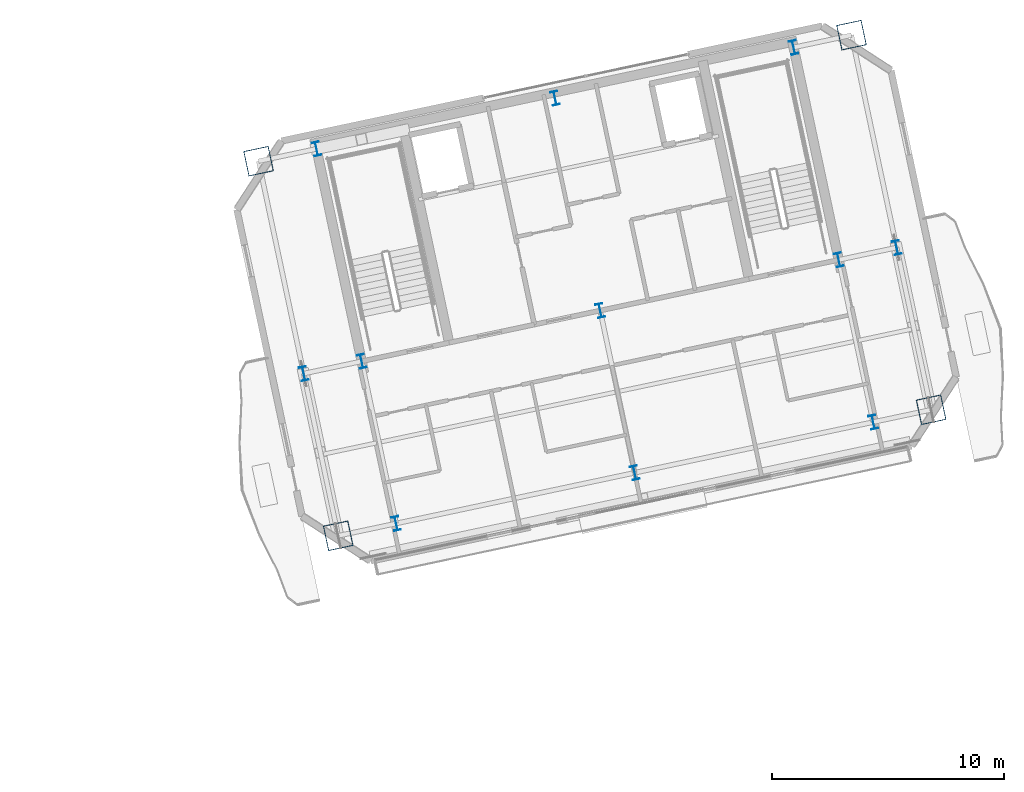
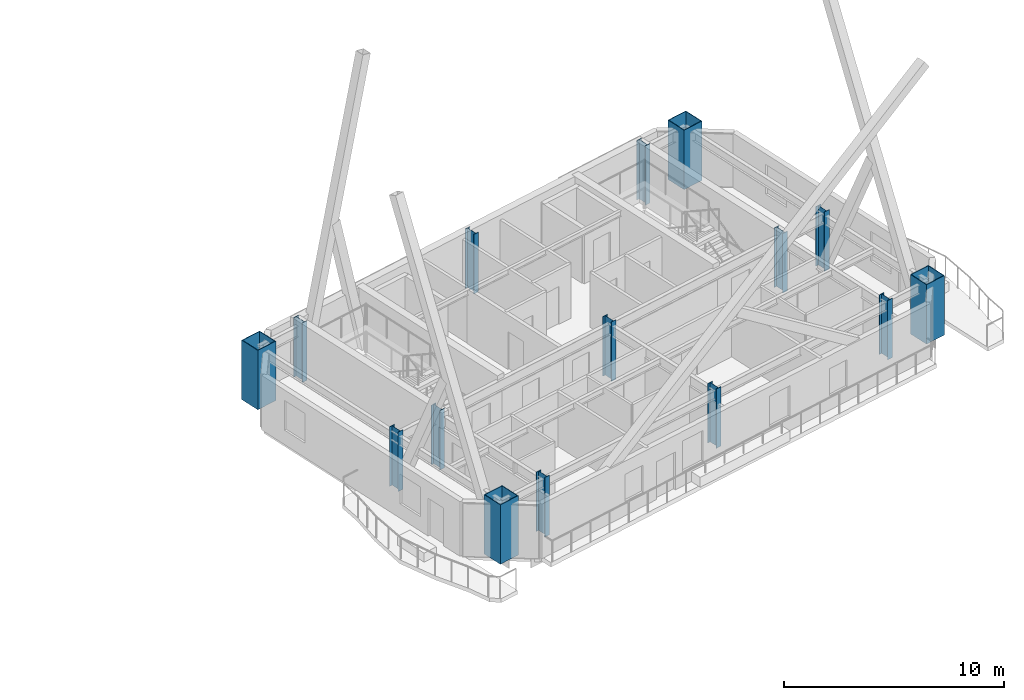
# One storey, part 2 of 19: 15 columns.
"""IFC4 building model written with IfcOpenShell, lengths in metres."""

from ifc_helpers import new_model, si_unit, direction, frame, origin, origin_2d, place, context, subcontext, project, spatial, hollow_rectangle, i_section, extrude, material, material_profile, profile_set, type_object, element, save


model = new_model("IFC4")

# Units and contexts
model_context = context("Model", 3, precision=1e-05, world=origin(), true_north=direction((0.0, 1.0)))
body_context = subcontext(model_context, "Body", "Model", "MODEL_VIEW")
ifc_project = project(units=[si_unit("LENGTHUNIT", "METRE"), si_unit("AREAUNIT", "SQUARE_METRE"), si_unit("VOLUMEUNIT", "CUBIC_METRE"), si_unit("PLANEANGLEUNIT", "RADIAN"), si_unit("MASSUNIT", "GRAM", prefix="KILO")], contexts=[model_context])

# Site, building, storey
site_placement = place(None, origin())
site = spatial("IfcSite", under=ifc_project, at=site_placement, CompositionType="ELEMENT")
building_placement = place(site_placement, origin())
building = spatial("IfcBuilding", under=site, at=building_placement, Name="Haevon Station Towers", CompositionType="ELEMENT")
storey_placement = place(building_placement, frame((0.0, 0.0, 218.699951171875)))
storey = spatial("IfcBuildingStorey", under=building, at=storey_placement, Name="L60", CompositionType="ELEMENT", Elevation=218.699951171875)

# Columns
ifc_material_1 = material(Name="Steel S460", Category="steel")
ifc_material_profile_1 = material_profile(ifc_material_1, hollow_rectangle(XDim=1.10009765625, YDim=1.10009765625, WallThickness=0.031982421875, at=origin_2d()), Name="BOX-1100x1100x32")
ifc_profile_set_1 = profile_set([ifc_material_profile_1], Name="Steel S460")
column_type_1 = type_object("IfcColumnType", Name="COL-MC5", PredefinedType="COLUMN", material=ifc_profile_set_1)
for number, where, z_axis, x_axis, name in (
    (1, (97.74267578125, 29.92822265625, 0.0), (0.0, 0.0, 1.0), (0.978147600734, 0.207911690818, 0.0), "COL-T2-L60-01-01"),
    (2, (94.314208984375, 46.057861328125, 0.0), (0.0, 0.0, 1.0), (0.978147600734, 0.207911690818, 0.0), "COL-T2-L60-01-03"),
    (3, (123.272216796875, 35.354736328125, 0.0), (0.0, 0.0, 1.0), (0.978147600734, 0.207911690818, 0.0), "COL-T2-L60-05-01"),
    (4, (119.84375, 51.484375, 0.0), (0.0, 0.0, 1.0), (0.978147600734, 0.207911690818, 0.0), "COL-T2-L60-05-03"),
):
    element("IfcColumn", number, at=place(storey_placement, frame(where, z_axis=z_axis, x_axis=x_axis)), inside=storey, type_object=column_type_1, Name=name, PredefinedType="COLUMN", context=body_context, shape_type="SweptSolid", body=[
        extrude(hollow_rectangle(XDim=1.10009765625, YDim=1.10009765625, WallThickness=0.031982421875, at=origin_2d()), origin(), (0.0, 0.0, 1.0), 3.300048828125),
    ])
ifc_material_2 = material(Name="Steel S355", Category="steel")
ifc_material_profile_2 = material_profile(ifc_material_2, i_section(OverallWidth=0.300048828125, OverallDepth=0.60009765625, WebThickness=0.013916015625, FlangeThickness=0.02490234375, at=origin_2d()), Name="H-600x300x14x25")
ifc_profile_set_2 = profile_set([ifc_material_profile_2], Name="Steel S355")
column_type_2 = type_object("IfcColumnType", Name="COL-TW4", PredefinedType="COLUMN", material=ifc_profile_set_2)
for number, where, z_axis, x_axis, name in (
    (5, (96.258056640625, 36.912353515625, 0.0), (0.0, 0.0, 1.0), (0.978147600734, 0.207911690818, 0.0), "COL-T2-L60-01-02"),
    (6, (100.23681640625, 30.45849609375, 0.0), (0.0, 0.0, 1.0), (0.978147600734, 0.207911690818, 0.0), "COL-T2-L60-02-01"),
    (7, (98.75244140625, 37.4423828125, 0.0), (0.0, 0.0, 1.0), (0.978147600734, 0.207911690818, 0.0), "COL-T2-L60-02-02"),
    (8, (96.808349609375, 46.588134765625, 0.0), (0.0, 0.0, 1.0), (0.978147600734, 0.207911690818, 0.0), "COL-T2-L60-02-03"),
    (9, (110.50732421875, 32.6416015625, 0.0), (0.0, 0.0, 1.0), (0.978147600734, 0.207911690818, 0.0), "COL-T2-L60-03-01"),
    (10, (109.02294921875, 39.62548828125, 0.0), (0.0, 0.0, 1.0), (0.978147600734, 0.207911690818, 0.0), "COL-T2-L60-03-02"),
    (11, (107.078857421875, 48.771240234375, 0.0), (0.0, 0.0, 1.0), (0.978147600734, 0.207911690818, 0.0), "COL-T2-L60-03-03"),
    (12, (120.77783203125, 34.824462890625, 0.0), (0.0, 0.0, 1.0), (0.978147600734, 0.207911690818, 0.0), "COL-T2-L60-04-01"),
    (13, (119.29345703125, 41.80859375, 0.0), (0.0, 0.0, 1.0), (0.978147600734, 0.207911690818, 0.0), "COL-T2-L60-04-02"),
    (14, (117.349365234375, 50.954345703125, 0.0), (0.0, 0.0, 1.0), (0.978147600734, 0.207911690818, 0.0), "COL-T2-L60-04-03"),
    (15, (121.787841796875, 42.338623046875, 0.0), (0.0, 0.0, 1.0), (0.978147600734, 0.207911690818, 0.0), "COL-T2-L60-05-02"),
):
    element("IfcColumn", number, at=place(storey_placement, frame(where, z_axis=z_axis, x_axis=x_axis)), inside=storey, type_object=column_type_2, Name=name, PredefinedType="COLUMN", context=body_context, shape_type="SweptSolid", body=[
        extrude(i_section(OverallWidth=0.300048828125, OverallDepth=0.60009765625, WebThickness=0.013916015625, FlangeThickness=0.02490234375, at=origin_2d()), origin(), (0.0, 0.0, 1.0), 3.300048828125),
    ])

save(model, "model.ifc")
